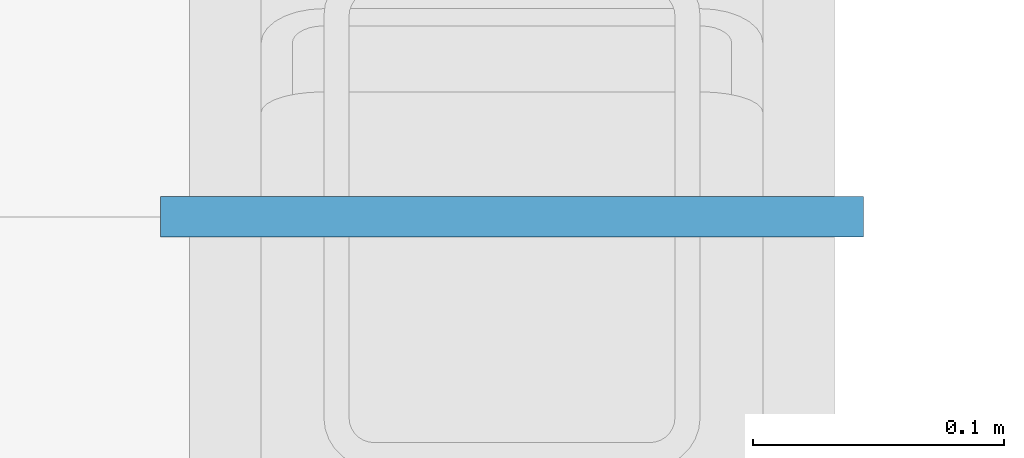
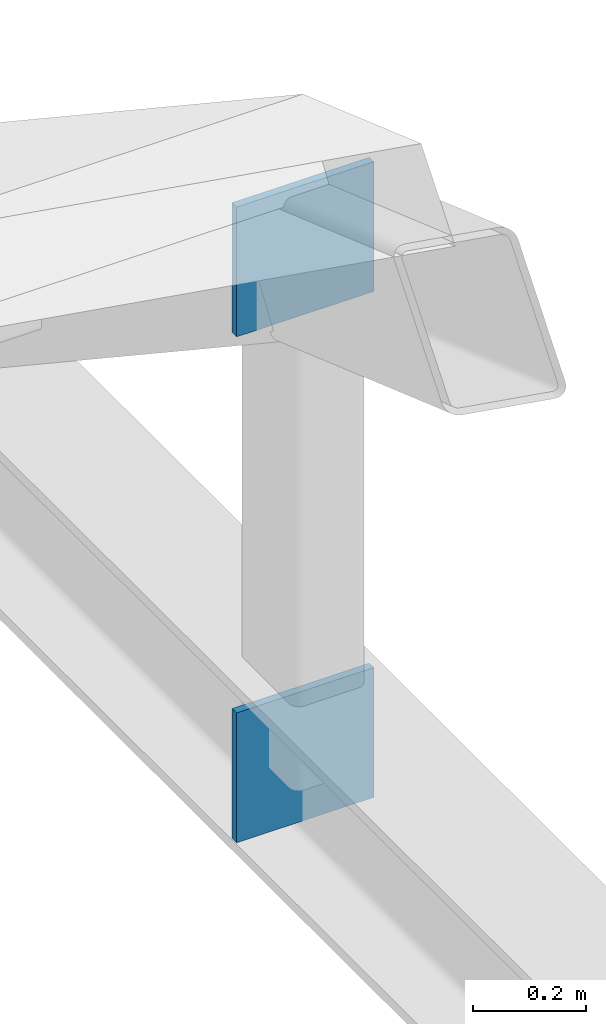
# One storey, part 47 of 70: 2 plates.
"""IFC4 building model written with IfcOpenShell, lengths in metres."""

import ifcopenshell
import ifcopenshell.guid

model = None  # the IFC model being written
_history = None  # IfcOwnerHistory: only IFC2X3 demands one
_inside = {}  # id of a spatial element -> (the spatial element, [elements in it])
_under = {}  # id of a project, library or spatial element -> (it, [spatial elements below it])
_declared = {}  # id of a project -> (the project, [libraries it declares])
_typed = {}  # id of a type object -> (the type object, [elements of that type])
_made_of = {}  # id of a material, layer set ... -> (it, [elements and type objects made of it])


def new_model(schema):
    """Start an empty IFC model of exactly this schema.

    Asked for "IFC4X3", IfcOpenShell would pick the latest addendum, in which some entities
    have other attributes; the version numbers below select the first issue.
    IFC2X3 requires an IfcOwnerHistory on every rooted entity: one is made here for all.
    """
    global model, _history
    if schema == "IFC4X3":
        model = ifcopenshell.file(schema_version=(4, 3, 0, 0))
    else:
        model = ifcopenshell.file(schema=schema)
    _inside.clear()
    _under.clear()
    _declared.clear()
    _typed.clear()
    _made_of.clear()
    _history = None
    if model.schema == "IFC2X3":
        org = make("IfcOrganization", Name="unknown")
        user = make(
            "IfcPersonAndOrganization",
            ThePerson=make("IfcPerson", FamilyName="unknown"),
            TheOrganization=org,
        )
        app = make(
            "IfcApplication",
            ApplicationDeveloper=org,
            Version="unknown",
            ApplicationFullName="unknown",
            ApplicationIdentifier="unknown",
        )
        _history = make(
            "IfcOwnerHistory",
            OwningUser=user,
            OwningApplication=app,
            ChangeAction="ADDED",
            CreationDate=0,
        )
    return model


def make(cls, **values):
    """One entity of the class cls with the attributes given. An attribute that is None is left unset."""
    return model.create_entity(
        cls, **{name: value for name, value in values.items() if value is not None}
    )


def rooted(cls, **values):
    """An entity with a GlobalId (a new one), such as an element, a storey or a relation."""
    return make(cls, GlobalId=ifcopenshell.guid.new(), OwnerHistory=_history, **values)


def si_unit(unit_type, name, prefix=None):
    """IfcSIUnit, for example si_unit("LENGTHUNIT", "METRE", prefix="MILLI")."""
    return make("IfcSIUnit", UnitType=unit_type, Prefix=prefix, Name=name)


def assignment(units):
    """IfcUnitAssignment: the units of a project."""
    return None if units is None else make("IfcUnitAssignment", Units=units)


def point(xyz):
    """IfcCartesianPoint."""
    return None if xyz is None else make("IfcCartesianPoint", Coordinates=xyz)


def direction(xyz):
    """IfcDirection."""
    return None if xyz is None else make("IfcDirection", DirectionRatios=xyz)


def frame(location, z_axis=None, x_axis=None):
    """IfcAxis2Placement3D, a coordinate frame: its origin and axes. An axis left out is left unset."""
    return make(
        "IfcAxis2Placement3D",
        Location=point(location),
        Axis=direction(z_axis),
        RefDirection=direction(x_axis),
    )


def frame_2d(location, x_axis=None):
    """IfcAxis2Placement2D, a coordinate frame in the plane: its origin and x axis."""
    return make(
        "IfcAxis2Placement2D", Location=point(location), RefDirection=direction(x_axis)
    )


def origin():
    """The frame at (0, 0, 0) with its axes left unset."""
    return frame((0.0, 0.0, 0.0))


def origin_2d():
    """The frame at (0, 0) in the plane with its x axis left unset."""
    return frame_2d((0.0, 0.0))


def place(relative_to, where):
    """IfcLocalPlacement: puts the frame where relative to a parent placement (None: the world)."""
    return make(
        "IfcLocalPlacement", PlacementRelTo=relative_to, RelativePlacement=where
    )


def context(
    kind, dimensions, precision=None, world=None, true_north=None, identifier=None
):
    """IfcGeometricRepresentationContext, for example the 3D "Model" context."""
    return make(
        "IfcGeometricRepresentationContext",
        ContextIdentifier=identifier,
        ContextType=kind,
        CoordinateSpaceDimension=dimensions,
        Precision=precision,
        WorldCoordinateSystem=world,
        TrueNorth=true_north,
    )


def subcontext(parent, identifier, kind, view, scale=None):
    """IfcGeometricRepresentationSubContext, for example "Body" below "Model"."""
    return make(
        "IfcGeometricRepresentationSubContext",
        ContextIdentifier=identifier,
        ContextType=kind,
        ParentContext=parent,
        TargetScale=scale,
        TargetView=view,
    )


def project(units=None, contexts=None):
    """IfcProject with its units and contexts."""
    return rooted(
        "IfcProject",
        Name="project",
        RepresentationContexts=contexts,
        UnitsInContext=assignment(units),
    )


def spatial(cls, under=None, at=None, **own):
    """A site, building, storey or space (cls), placed at a placement, below another one or the project."""
    s = rooted(cls, ObjectPlacement=at, **own)
    if under is not None:
        _under.setdefault(under.id(), (under, []))[1].append(s)
    return s


def profile(cls, at=None, kind="AREA", **sizes):
    """A parametric profile (cls). Its sizes go by their IFC names, for example OverallWidth=200.0."""
    return make(cls, ProfileType=kind, Position=at, **sizes)


def rectangle(**sizes):
    """IfcRectangleProfileDef."""
    return profile("IfcRectangleProfileDef", **sizes)


def extrude(swept, where, along, depth):
    """IfcExtrudedAreaSolid: the profile swept, set in the frame where, extruded along a direction by depth."""
    return make(
        "IfcExtrudedAreaSolid",
        SweptArea=swept,
        Position=where,
        ExtrudedDirection=direction(along),
        Depth=depth,
    )


def shape(context_of_items, identifier, shape_type, items):
    """IfcShapeRepresentation: the items that make up one representation, for example the "Body"."""
    return make(
        "IfcShapeRepresentation",
        ContextOfItems=context_of_items,
        RepresentationIdentifier=identifier,
        RepresentationType=shape_type,
        Items=items,
    )


def material(Name=None, Category=None):
    """IfcMaterial."""
    return make("IfcMaterial", Name=Name, Category=Category)


def layer(
    of_material, thickness, ventilated=None, Name=None, Category=None, Priority=None
):
    """IfcMaterialLayer: one layer of a wall or slab, of a material (None: an air gap)."""
    return make(
        "IfcMaterialLayer",
        Material=of_material,
        LayerThickness=thickness,
        IsVentilated=ventilated,
        Name=Name,
        Category=Category,
        Priority=Priority,
    )


def layer_set(layers, Name=None):
    """IfcMaterialLayerSet."""
    return make("IfcMaterialLayerSet", MaterialLayers=layers, LayerSetName=Name)


def made_of(thing, what):
    """Note that an element or type object is made of a material, layer set ...; save() writes the relation."""
    if what is not None:
        _made_of.setdefault(what.id(), (what, []))[1].append(thing)
    return thing


def type_object(cls, material=None, **own):
    """A type object (cls), such as IfcWallType, which elements share."""
    return made_of(rooted(cls, **own), material)


def element(
    cls,
    number,
    at=None,
    inside=None,
    cuts=None,
    type_object=None,
    material=None,
    context=None,
    identifier="Body",
    shape_type=None,
    held_by="IfcProductDefinitionShape",
    body=None,
    shapes=None,
    **own,
):
    """One element of the class cls, such as IfcWall. Its Tag is "e" and its number.

    at: its placement. inside: the storey or other place that contains it. cuts: it is an
    opening in that element (IfcRelVoidsElement). A single representation is given by context,
    identifier, shape_type and body (its items); several are given by shapes. held_by: the class
    of the entity that holds the representations. save() writes the other relations.
    """
    e = rooted(cls, Tag="e%d" % number, ObjectPlacement=at, **own)
    if body is not None:
        shapes = [shape(context, identifier, shape_type, body)]
    if shapes is not None:
        e.Representation = make(held_by, Representations=shapes)
    if inside is not None:
        _inside.setdefault(inside.id(), (inside, []))[1].append(e)
    if cuts is not None:
        rooted(
            "IfcRelVoidsElement", RelatingBuildingElement=cuts, RelatedOpeningElement=e
        )
    if type_object is not None:
        _typed.setdefault(type_object.id(), (type_object, []))[1].append(e)
    return made_of(e, material)


def aggregate(whole, parts):
    """IfcRelAggregates: a whole, such as a stair, and the parts it consists of."""
    return rooted("IfcRelAggregates", RelatingObject=whole, RelatedObjects=parts)


def save(model, path):
    """Write the relations noted so far, then the file.

    IfcRelAggregates (storeys below a building ...), IfcRelContainedInSpatialStructure (elements
    in a storey), IfcRelDefinesByType, IfcRelAssociatesMaterial and IfcRelDeclares: one each for
    every whole, place, type object, material and project.
    """
    for whole, parts in _under.values():
        aggregate(whole, parts)
    for where, things in _inside.values():
        rooted(
            "IfcRelContainedInSpatialStructure",
            RelatedElements=things,
            RelatingStructure=where,
        )
    for kind, things in _typed.values():
        rooted("IfcRelDefinesByType", RelatedObjects=things, RelatingType=kind)
    for what, things in _made_of.values():
        rooted("IfcRelAssociatesMaterial", RelatedObjects=things, RelatingMaterial=what)
    for by, libraries in _declared.values():
        rooted("IfcRelDeclares", RelatingContext=by, RelatedDefinitions=libraries)
    model.write(path)


model = new_model("IFC4")

# Units and contexts
model_context = context("Model", 3, precision=1e-05, world=origin(), true_north=direction((0.0, 1.0)))
body_context = subcontext(model_context, "Body", "Model", "MODEL_VIEW")
ifc_project = project(units=[si_unit("LENGTHUNIT", "METRE"), si_unit("AREAUNIT", "SQUARE_METRE"), si_unit("VOLUMEUNIT", "CUBIC_METRE"), si_unit("PLANEANGLEUNIT", "RADIAN"), si_unit("MASSUNIT", "GRAM", prefix="KILO")], contexts=[model_context])

# Site, building, storey
site_placement = place(None, origin())
site = spatial("IfcSite", under=ifc_project, at=site_placement, CompositionType="ELEMENT")
building_placement = place(site_placement, origin())
building = spatial("IfcBuilding", under=site, at=building_placement, Name="Mavantir Sound Aquarium", CompositionType="ELEMENT")
storey_placement = place(building_placement, frame((0.0, 0.0, 27.0)))
storey = spatial("IfcBuildingStorey", under=building, at=storey_placement, Name="RF", CompositionType="ELEMENT", Elevation=27.0)

# Plates
ifc_material = material(Name="Structural Steel ASTM A572 Gr50", Category="steel")
ifc_layer = layer(ifc_material, 0.01611328125, Name="Structural Steel ASTM A572 Gr50")
ifc_layer_set = layer_set([ifc_layer], Name="Structural Steel ASTM A572 Gr50")
plate_type = type_object("IfcPlateType", Name="PLT-GUSSET-16", PredefinedType="SHEET", material=ifc_layer_set)
for number, where, z_axis, x_axis, name in (
    (1, (55.199951171875, 48.800048828125, -7.52001953125), (0.0, 0.0, 1.0), (1.0, 0.0, 0.0), "Brace end gusset plate GP-01 197"),
    (2, (55.199951171875, 48.800048828125, -6.4287109375), (0.0, 0.0, 1.0), (1.0, 0.0, 0.0), "Brace end gusset plate GP-01 198"),
):
    element("IfcPlate", number, at=place(storey_placement, frame(where, z_axis=z_axis, x_axis=x_axis)), inside=storey, type_object=plate_type, Name=name, PredefinedType="SHEET", context=body_context, shape_type="SweptSolid", body=[
        extrude(rectangle(XDim=0.280029296875, YDim=0.01611328125, at=origin_2d()), origin(), (0.0, 0.0, 1.0), 0.280029296875),
    ])

save(model, "model.ifc")
